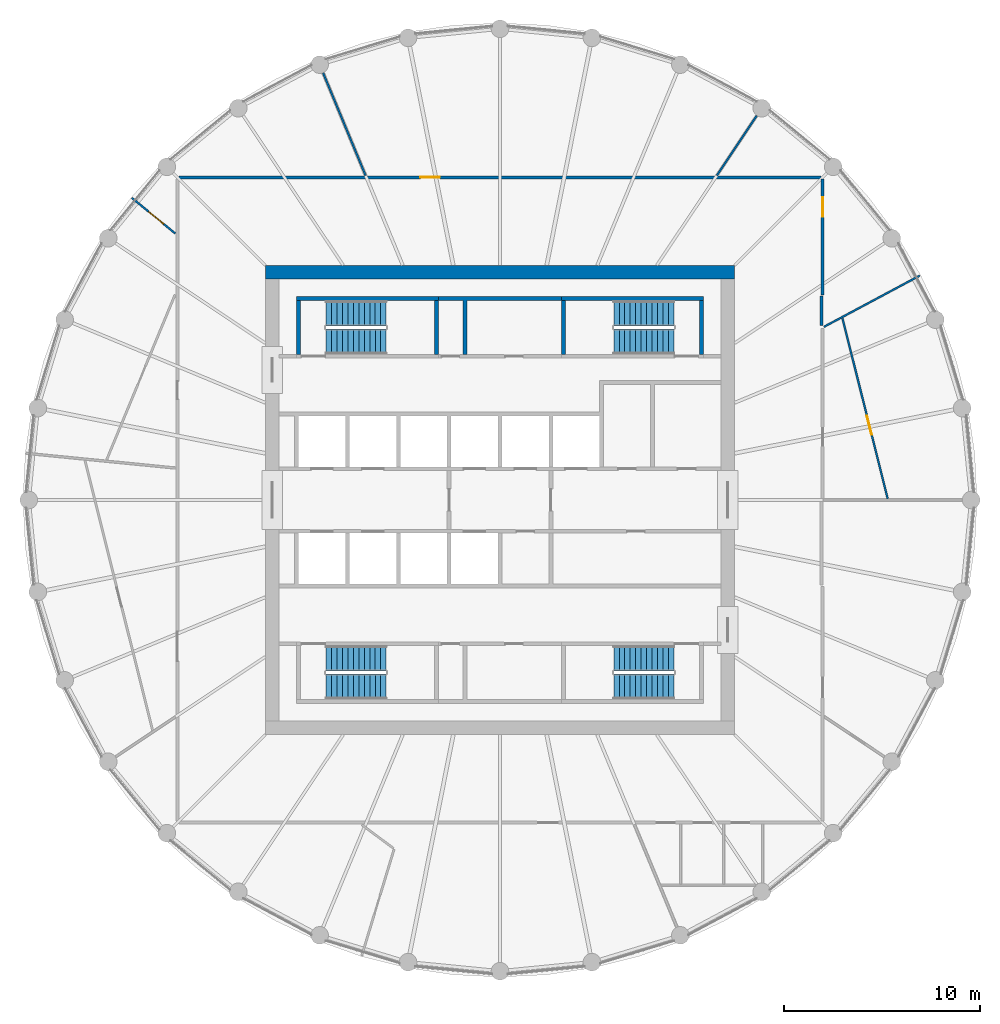
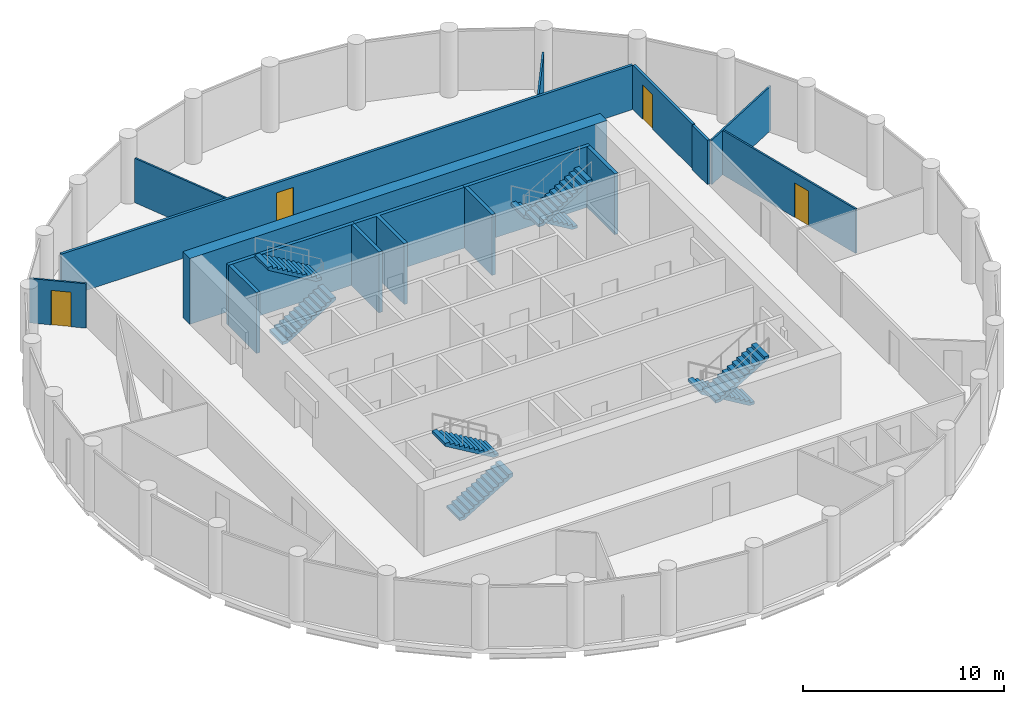
# One storey, part 6 of 7: 16 walls, 8 stair flights, 4 doors, 4 openings, 4 elements without a shape of their own.
"""IFC4 building model written with IfcOpenShell, lengths in metres."""

from ifc_helpers import new_model, si_unit, direction, frame, frame_2d, origin, place, context, subcontext, project, spatial, polyline, rectangle, outline, extrude, material, layer, layer_set, type_object, element, fill, aggregate, save


model = new_model("IFC4")

# Units and contexts
model_context = context("Model", 3, precision=1e-05, world=origin(), true_north=direction((0.0, 1.0)))
body_context = subcontext(model_context, "Body", "Model", "MODEL_VIEW")
ifc_project = project(units=[si_unit("LENGTHUNIT", "METRE"), si_unit("AREAUNIT", "SQUARE_METRE"), si_unit("VOLUMEUNIT", "CUBIC_METRE"), si_unit("PLANEANGLEUNIT", "RADIAN"), si_unit("MASSUNIT", "GRAM", prefix="KILO")], contexts=[model_context])

# Site, building, storey
site_placement = place(None, origin())
site = spatial("IfcSite", under=ifc_project, at=site_placement, CompositionType="ELEMENT")
building_placement = place(site_placement, origin())
building = spatial("IfcBuilding", under=site, at=building_placement, Name="Corvane Civic Tower", CompositionType="ELEMENT")
storey_placement = place(building_placement, frame((0.0, 0.0, 275.0)))
storey = spatial("IfcBuildingStorey", under=building, at=storey_placement, Name="L65", CompositionType="ELEMENT", Elevation=275.0)

# Walls
ifc_material_1 = material(Name="Concrete C40/50", Category="concrete")
ifc_layer_1 = layer(ifc_material_1, 0.699951171875)
ifc_layer_set_1 = layer_set([ifc_layer_1], Name="Concrete C40/50")
wall_type_1 = type_object("IfcWallType", Name="CORE WALL 700 C40/50", PredefinedType="SHEAR", material=ifc_layer_set_1)
wall_1_placement = place(storey_placement, frame((-12.0, 11.64990234375, 0.0), z_axis=(0.0, 0.0, 1.0), x_axis=(1.0, 0.0, 0.0)))
element("IfcWall", 1, at=wall_1_placement, inside=storey, type_object=wall_type_1, Name="W-L65-core-N", PredefinedType="SHEAR", context=body_context, shape_type="SweptSolid", body=[
    extrude(rectangle(XDim=24.0, YDim=0.699951171875, at=frame_2d((12.0, 0.0))), origin(), (0.0, 0.0, 1.0), 4.0),
])
ifc_material_2 = material(Name="Concrete C30/37", Category="concrete")
ifc_layer_2 = layer(ifc_material_2, 0.199951171875)
ifc_layer_set_2 = layer_set([ifc_layer_2], Name="Concrete C30/37")
wall_type_2 = type_object("IfcWallType", Name="CR-WALL-200", PredefinedType="PARTITIONING", material=ifc_layer_set_2)
wall_2_placement = place(storey_placement, origin())
element("IfcWall", 2, at=wall_2_placement, inside=storey, type_object=wall_type_2, Name="L65 core partition wall", PredefinedType="PARTITIONING", context=body_context, shape_type="SweptSolid", body=[
    extrude(outline(polyline([(3.14990234375, 10.39990234375), (3.14990234375, 10.199951171875), (-1.699951171875, 10.199951171875), (-1.699951171875, 7.449951171875), (-1.89990234375, 7.449951171875), (-1.89990234375, 10.199951171875), (-3.14990234375, 10.199951171875), (-3.14990234375, 10.39990234375), (3.14990234375, 10.39990234375)])), origin(), (0.0, 0.0, 1.0), 3.699951171875),
])

# Wall, opening, door
ifc_material_3 = material(Name="Plasterboard")
ifc_layer_3 = layer(ifc_material_3, 0.10009765625)
ifc_layer_set_3 = layer_set([ifc_layer_3], Name="Plasterboard")
wall_type_3 = type_object("IfcWallType", Name="Partition 100 plasterboard on studs", PredefinedType="PARTITIONING", material=ifc_layer_set_3)
wall_3_placement = place(storey_placement, frame((17.51708984375, 9.29248046875, 0.0), z_axis=(0.0, 0.0, 1.0), x_axis=(0.242970257717, -0.970033738519, 0.0)))
wall_3 = element("IfcWall", 3, at=wall_3_placement, inside=storey, type_object=wall_type_3, Name="Partition L65.016", PredefinedType="PARTITIONING", context=body_context, shape_type="SweptSolid", body=[
    extrude(rectangle(XDim=9.515625, YDim=0.10009765625, at=frame_2d((4.7578125, 0.0))), origin(), (0.0, 0.0, 1.0), 2.699951171875),
])
opening_1_placement = place(wall_3_placement, frame((5.142578125, 0.0, 0.0)))
opening_1 = element("IfcOpeningElement", 4, at=opening_1_placement, cuts=wall_3, Name="Opening L65.008", PredefinedType="OPENING", context=body_context, shape_type="SweptSolid", body=[
    extrude(rectangle(XDim=1.0, YDim=2.10009765625, at=frame_2d((0.5, 1.050048828125))), frame((0.0, 0.06005859375, 0.0), z_axis=(0.0, -1.0, 0.0), x_axis=(1.0, 0.0, 0.0)), (0.0, 0.0, 1.0), 0.1201171875),
])
ifc_material_4 = material(Name="Timber", Category="wood")
door_type_1 = type_object("IfcDoorType", Name="Single door 1000", OperationType="NOTDEFINED", PredefinedType="DOOR", material=ifc_material_4)
door_1_placement = place(opening_1_placement, origin())
door_1 = element("IfcDoor", 5, at=door_1_placement, inside=storey, type_object=door_type_1, Name="Door L65.008", OperationType="SINGLE_SWING_LEFT", OverallHeight=2.10009765625, OverallWidth=1.0, PredefinedType="DOOR", context=body_context, shape_type="SweptSolid", body=[
    extrude(rectangle(XDim=1.0, YDim=2.10009765625, at=frame_2d((0.5, 1.050048828125))), frame((0.0, 0.02490234375, 0.0), z_axis=(0.0, -1.0, 0.0), x_axis=(1.0, 0.0, 0.0)), (0.0, 0.0, 1.0), 0.050048828125),
])
fill(opening_1, door_1)

# Wall
wall_4_placement = place(storey_placement, frame((16.563720703125, 8.853515625, 0.0), z_axis=(0.0, 0.0, 1.0), x_axis=(0.88193512519, 0.471370804098, 0.0)))
element("IfcWall", 6, at=wall_4_placement, inside=storey, type_object=wall_type_3, Name="Partition L65.020", PredefinedType="PARTITIONING", context=body_context, shape_type="SweptSolid", body=[
    extrude(rectangle(XDim=5.56884765625, YDim=0.10009765625, at=frame_2d((2.784423828125, 0.0))), origin(), (0.0, 0.0, 1.0), 2.699951171875),
])

# Wall, opening, door
wall_5_placement = place(storey_placement, frame((-18.822998046875, 15.447509765625, 0.0), z_axis=(0.0, 0.0, 1.0), x_axis=(0.773057309147, -0.634336185926, 0.0)))
wall_5 = element("IfcWall", 7, at=wall_5_placement, inside=storey, type_object=wall_type_3, Name="Partition L65.023", PredefinedType="PARTITIONING", context=body_context, shape_type="SweptSolid", body=[
    extrude(rectangle(XDim=2.866943359375, YDim=0.10009765625, at=frame_2d((1.43359375, 0.0))), origin(), (0.0, 0.0, 1.0), 2.699951171875),
])
opening_2_placement = place(wall_5_placement, frame((1.102783203125, 0.0, 0.0)))
opening_2 = element("IfcOpeningElement", 8, at=opening_2_placement, cuts=wall_5, Name="Opening L65.004", PredefinedType="OPENING", context=body_context, shape_type="SweptSolid", body=[
    extrude(rectangle(XDim=1.0, YDim=2.10009765625, at=frame_2d((0.5, 1.050048828125))), frame((0.0, 0.06005859375, 0.0), z_axis=(0.0, -1.0, 0.0), x_axis=(1.0, 0.0, 0.0)), (0.0, 0.0, 1.0), 0.1201171875),
])
door_2_placement = place(opening_2_placement, origin())
door_2 = element("IfcDoor", 9, at=door_2_placement, inside=storey, type_object=door_type_1, Name="Door L65.004", OperationType="SINGLE_SWING_LEFT", OverallHeight=2.10009765625, OverallWidth=1.0, PredefinedType="DOOR", context=body_context, shape_type="SweptSolid", body=[
    extrude(rectangle(XDim=1.0, YDim=2.10009765625, at=frame_2d((0.5, 1.050048828125))), frame((0.0, 0.02490234375, 0.0), z_axis=(0.0, -1.0, 0.0), x_axis=(1.0, 0.0, 0.0)), (0.0, 0.0, 1.0), 0.050048828125),
])
fill(opening_2, door_2)

# Walls
wall_6_placement = place(storey_placement, frame((-9.046630859375, 21.84033203125, 0.0), z_axis=(0.0, 0.0, 1.0), x_axis=(0.382682139097, -0.9238800682, 0.0)))
element("IfcWall", 10, at=wall_6_placement, inside=storey, type_object=wall_type_3, Name="Partition L65.025", PredefinedType="PARTITIONING", context=body_context, shape_type="SweptSolid", body=[
    extrude(rectangle(XDim=5.6787109375, YDim=0.10009765625, at=frame_2d((2.83935546875, 0.0))), origin(), (0.0, 0.0, 1.0), 2.699951171875),
])
wall_7_placement = place(storey_placement, frame((11.093505859375, 16.602783203125, 0.0), z_axis=(0.0, 0.0, 1.0), x_axis=(0.555559107402, 0.831477046095, 0.0)))
element("IfcWall", 11, at=wall_7_placement, inside=storey, type_object=wall_type_3, Name="Partition L65.026", PredefinedType="PARTITIONING", context=body_context, shape_type="SweptSolid", body=[
    extrude(rectangle(XDim=3.672119140625, YDim=0.10009765625, at=frame_2d((1.8359375, 0.0))), origin(), (0.0, 0.0, 1.0), 2.699951171875),
])
ifc_material_5 = material(Name="Concrete C50/60", Category="concrete")
ifc_layer_4 = layer(ifc_material_5, 0.199951171875)
ifc_layer_set_4 = layer_set([ifc_layer_4], Name="Concrete C50/60")
wall_type_4 = type_object("IfcWallType", Name="ST-WALL-200", PredefinedType="SHEAR", material=ifc_layer_set_4)
wall_8_placement = place(storey_placement, origin())
element("IfcWall", 12, at=wall_8_placement, inside=storey, type_object=wall_type_4, Name="L65 stair enclosure wall", PredefinedType="SHEAR", context=body_context, shape_type="SweptSolid", body=[
    extrude(outline(polyline([(-3.14990234375, 10.199951171875), (-10.39990234375, 10.199951171875), (-10.39990234375, 10.39990234375), (-3.14990234375, 10.39990234375), (-3.14990234375, 10.199951171875)])), origin(), (0.0, 0.0, 1.0), 3.699951171875),
])
wall_9_placement = place(storey_placement, origin())
element("IfcWall", 13, at=wall_9_placement, inside=storey, type_object=wall_type_4, Name="L65 stair enclosure wall", PredefinedType="SHEAR", context=body_context, shape_type="SweptSolid", body=[
    extrude(outline(polyline([(10.39990234375, 10.199951171875), (3.14990234375, 10.199951171875), (3.14990234375, 10.39990234375), (10.39990234375, 10.39990234375), (10.39990234375, 10.199951171875)])), origin(), (0.0, 0.0, 1.0), 3.699951171875),
])
wall_10_placement = place(storey_placement, origin())
element("IfcWall", 14, at=wall_10_placement, inside=storey, type_object=wall_type_4, Name="L65 stair enclosure wall", PredefinedType="SHEAR", context=body_context, shape_type="SweptSolid", body=[
    extrude(outline(polyline([(-3.14990234375, 7.449951171875), (-3.35009765625, 7.449951171875), (-3.35009765625, 10.199951171875), (-3.14990234375, 10.199951171875), (-3.14990234375, 7.449951171875)])), origin(), (0.0, 0.0, 1.0), 3.699951171875),
])
wall_11_placement = place(storey_placement, origin())
element("IfcWall", 15, at=wall_11_placement, inside=storey, type_object=wall_type_4, Name="L65 stair enclosure wall", PredefinedType="SHEAR", context=body_context, shape_type="SweptSolid", body=[
    extrude(outline(polyline([(3.35009765625, 7.449951171875), (3.14990234375, 7.449951171875), (3.14990234375, 10.199951171875), (3.35009765625, 10.199951171875), (3.35009765625, 7.449951171875)])), origin(), (0.0, 0.0, 1.0), 3.699951171875),
])
wall_12_placement = place(storey_placement, origin())
element("IfcWall", 16, at=wall_12_placement, inside=storey, type_object=wall_type_4, Name="L65 stair enclosure wall", PredefinedType="SHEAR", context=body_context, shape_type="SweptSolid", body=[
    extrude(outline(polyline([(-10.199951171875, 7.449951171875), (-10.39990234375, 7.449951171875), (-10.39990234375, 10.199951171875), (-10.199951171875, 10.199951171875), (-10.199951171875, 7.449951171875)])), origin(), (0.0, 0.0, 1.0), 3.699951171875),
])
wall_13_placement = place(storey_placement, origin())
element("IfcWall", 17, at=wall_13_placement, inside=storey, type_object=wall_type_4, Name="L65 stair enclosure wall", PredefinedType="SHEAR", context=body_context, shape_type="SweptSolid", body=[
    extrude(outline(polyline([(10.39990234375, 7.449951171875), (10.199951171875, 7.449951171875), (10.199951171875, 10.199951171875), (10.39990234375, 10.199951171875), (10.39990234375, 7.449951171875)])), origin(), (0.0, 0.0, 1.0), 3.699951171875),
])
ifc_material_6 = material(Name="Plasterboard")
ifc_layer_5 = layer(ifc_material_6, 0.14990234375)
ifc_layer_set_5 = layer_set([ifc_layer_5], Name="Plasterboard")
wall_type_5 = type_object("IfcWallType", Name="Tenancy wall 150 EI 60", PredefinedType="PARTITIONING", material=ifc_layer_set_5)
wall_14_placement = place(storey_placement, frame((16.449951171875, 8.917724609375, 0.0), z_axis=(0.0, 0.0, 1.0), x_axis=(0.0, 1.0, 0.0)))
element("IfcWall", 18, at=wall_14_placement, inside=storey, type_object=wall_type_5, Name="Partition L65.021", PredefinedType="PARTITIONING", context=body_context, shape_type="SweptSolid", body=[
    extrude(rectangle(XDim=1.51220703125, YDim=0.14990234375, at=frame_2d((0.756103515625, 0.0))), origin(), (0.0, 0.0, 1.0), 2.699951171875),
])

# Wall, opening, door
wall_15_placement = place(storey_placement, frame((16.5, 10.47998046875, 0.0), z_axis=(0.0, 0.0, 1.0), x_axis=(0.0, 1.0, 0.0)))
wall_15 = element("IfcWall", 19, at=wall_15_placement, inside=storey, type_object=wall_type_5, Name="Partition L65.022", PredefinedType="PARTITIONING", context=body_context, shape_type="SweptSolid", body=[
    extrude(rectangle(XDim=5.945068359375, YDim=0.14990234375, at=frame_2d((2.97265625, 0.0))), origin(), (0.0, 0.0, 1.0), 2.699951171875),
])
opening_3_placement = place(wall_15_placement, frame((3.9951171875, 0.0, 0.0)))
opening_3 = element("IfcOpeningElement", 20, at=opening_3_placement, cuts=wall_15, Name="Opening L65.007", PredefinedType="OPENING", context=body_context, shape_type="SweptSolid", body=[
    extrude(rectangle(XDim=1.0, YDim=2.10009765625, at=frame_2d((0.5, 1.050048828125))), frame((0.0, 0.0849609375, 0.0), z_axis=(0.0, -1.0, 0.0), x_axis=(1.0, 0.0, 0.0)), (0.0, 0.0, 1.0), 0.169921875),
])
ifc_material_7 = material(Name="Steel and timber", Category="steel")
door_type_2 = type_object("IfcDoorType", Name="Fire door FD30S 1000", OperationType="NOTDEFINED", PredefinedType="DOOR", material=ifc_material_7)
door_3_placement = place(opening_3_placement, frame((1.0, 0.0, 0.0), z_axis=(0.0, 0.0, 1.0), x_axis=(-1.0, 0.0, 0.0)))
door_3 = element("IfcDoor", 21, at=door_3_placement, inside=storey, type_object=door_type_2, Name="Door L65.007", OperationType="SINGLE_SWING_LEFT", OverallHeight=2.10009765625, OverallWidth=1.0, PredefinedType="DOOR", context=body_context, shape_type="SweptSolid", body=[
    extrude(rectangle(XDim=1.0, YDim=2.10009765625, at=frame_2d((0.5, 1.050048828125))), frame((0.0, 0.02490234375, 0.0), z_axis=(0.0, -1.0, 0.0), x_axis=(1.0, 0.0, 0.0)), (0.0, 0.0, 1.0), 0.050048828125),
])
fill(opening_3, door_3)

wall_16_placement = place(storey_placement, frame((-16.425048828125, 16.5, 0.0), z_axis=(0.0, 0.0, 1.0), x_axis=(1.0, 0.0, 0.0)))
wall_16 = element("IfcWall", 22, at=wall_16_placement, inside=storey, type_object=wall_type_5, Name="Partition L65.024", PredefinedType="PARTITIONING", context=body_context, shape_type="SweptSolid", body=[
    extrude(rectangle(XDim=32.85009765625, YDim=0.14990234375, at=frame_2d((16.425048828125, 0.0))), origin(), (0.0, 0.0, 1.0), 2.699951171875),
])
opening_4_placement = place(wall_16_placement, frame((12.3544921875, 0.0, 0.0)))
opening_4 = element("IfcOpeningElement", 23, at=opening_4_placement, cuts=wall_16, Name="Opening L65.006", PredefinedType="OPENING", context=body_context, shape_type="SweptSolid", body=[
    extrude(rectangle(XDim=1.0, YDim=2.10009765625, at=frame_2d((0.5, 1.050048828125))), frame((0.0, 0.0849609375, 0.0), z_axis=(0.0, -1.0, 0.0), x_axis=(1.0, 0.0, 0.0)), (0.0, 0.0, 1.0), 0.169921875),
])
door_4_placement = place(opening_4_placement, origin())
door_4 = element("IfcDoor", 24, at=door_4_placement, inside=storey, type_object=door_type_2, Name="Door L65.006", OperationType="SINGLE_SWING_RIGHT", OverallHeight=2.10009765625, OverallWidth=1.0, PredefinedType="DOOR", context=body_context, shape_type="SweptSolid", body=[
    extrude(rectangle(XDim=1.0, YDim=2.10009765625, at=frame_2d((0.5, 1.050048828125))), frame((0.0, 0.02490234375, 0.0), z_axis=(0.0, -1.0, 0.0), x_axis=(1.0, 0.0, 0.0)), (0.0, 0.0, 1.0), 0.050048828125),
])
fill(opening_4, door_4)

# Stair, stair flights
ifc_material_8 = material(Name="Concrete C40/50", Category="concrete")
stair_type = type_object("IfcStairType", Name="ST-STAIR-HALFTURN", PredefinedType="HALF_TURN_STAIR", material=ifc_material_8)
stair_1_placement = place(storey_placement, origin())
stair_1 = element("IfcStair", 25, at=stair_1_placement, inside=storey, type_object=stair_type, Name="L65 Exit stair ST1", PredefinedType="HALF_TURN_STAIR")
ifc_material_9 = material(Name="Concrete C40/50", Category="concrete")
stair_flight_type = type_object("IfcStairFlightType", Name="ST-FLIGHT-RC", PredefinedType="STRAIGHT", material=ifc_material_9)
stair_flight_1_placement = place(storey_placement, frame((8.89990234375, 9.550048828125, 0.0), z_axis=(0.0, 0.0, 1.0), x_axis=(-1.0, 0.0, 0.0)))
stair_flight_1 = element("IfcStairFlight", 26, at=stair_flight_1_placement, type_object=stair_flight_type, Name="ST1 flight 1", NumberOfRisers=12, NumberOfTreads=11, PredefinedType="STRAIGHT", RiserHeight=0.166666667, TreadLength=0.28, context=body_context, shape_type="SweptSolid", body=[
    extrude(outline(polyline([(0.0, 0.0), (0.0, 0.166748046875), (0.280029296875, 0.166748046875), (0.280029296875, 0.333251953125), (0.56005859375, 0.333251953125), (0.56005859375, 0.5), (0.840087890625, 0.5), (0.840087890625, 0.666748046875), (1.1201171875, 0.666748046875), (1.1201171875, 0.833251953125), (1.39990234375, 0.833251953125), (1.39990234375, 1.0), (1.679931640625, 1.0), (1.679931640625, 1.166748046875), (1.9599609375, 1.166748046875), (1.9599609375, 1.333251953125), (2.239990234375, 1.333251953125), (2.239990234375, 1.5), (2.52001953125, 1.5), (2.52001953125, 1.666748046875), (2.800048828125, 1.666748046875), (2.800048828125, 1.833251953125), (3.080078125, 1.833251953125), (3.080078125, 2.0), (3.080078125, 1.658935546875), (0.29296875, 0.0), (0.0, 0.0)])), frame((0.0, 0.64990234375, 0.0), z_axis=(0.0, -1.0, 0.0), x_axis=(1.0, 0.0, 0.0)), (0.0, 0.0, 1.0), 1.300048828125),
])
stair_flight_2_placement = place(storey_placement, frame((5.820068359375, 8.10009765625, 2.0), z_axis=(0.0, 0.0, 1.0), x_axis=(1.0, 0.0, 0.0)))
stair_flight_2 = element("IfcStairFlight", 27, at=stair_flight_2_placement, type_object=stair_flight_type, Name="ST1 flight 2", NumberOfRisers=12, NumberOfTreads=11, PredefinedType="STRAIGHT", RiserHeight=0.166666667, TreadLength=0.28, context=body_context, shape_type="SweptSolid", body=[
    extrude(outline(polyline([(0.0, 0.0), (0.0, 0.166748046875), (0.280029296875, 0.166748046875), (0.280029296875, 0.333251953125), (0.56005859375, 0.333251953125), (0.56005859375, 0.5), (0.840087890625, 0.5), (0.840087890625, 0.666748046875), (1.1201171875, 0.666748046875), (1.1201171875, 0.833251953125), (1.39990234375, 0.833251953125), (1.39990234375, 1.0), (1.679931640625, 1.0), (1.679931640625, 1.166748046875), (1.9599609375, 1.166748046875), (1.9599609375, 1.333251953125), (2.239990234375, 1.333251953125), (2.239990234375, 1.5), (2.52001953125, 1.5), (2.52001953125, 1.666748046875), (2.800048828125, 1.666748046875), (2.800048828125, 1.833251953125), (3.080078125, 1.833251953125), (3.080078125, 2.0), (3.080078125, 1.658935546875), (0.29296875, 0.0), (0.0, 0.0)])), frame((0.0, 0.64990234375, 0.0), z_axis=(0.0, -1.0, 0.0), x_axis=(1.0, 0.0, 0.0)), (0.0, 0.0, 1.0), 1.300048828125),
])
aggregate(stair_1, [stair_flight_1, stair_flight_2])

stair_2_placement = place(storey_placement, origin())
stair_2 = element("IfcStair", 28, at=stair_2_placement, inside=storey, type_object=stair_type, Name="L65 Exit stair ST2", PredefinedType="HALF_TURN_STAIR")
stair_flight_3_placement = place(storey_placement, frame((8.89990234375, -8.10009765625, 0.0), z_axis=(0.0, 0.0, 1.0), x_axis=(-1.0, 0.0, 0.0)))
stair_flight_3 = element("IfcStairFlight", 29, at=stair_flight_3_placement, type_object=stair_flight_type, Name="ST2 flight 1", NumberOfRisers=12, NumberOfTreads=11, PredefinedType="STRAIGHT", RiserHeight=0.166666667, TreadLength=0.28, context=body_context, shape_type="SweptSolid", body=[
    extrude(outline(polyline([(0.0, 0.0), (0.0, 0.166748046875), (0.280029296875, 0.166748046875), (0.280029296875, 0.333251953125), (0.56005859375, 0.333251953125), (0.56005859375, 0.5), (0.840087890625, 0.5), (0.840087890625, 0.666748046875), (1.1201171875, 0.666748046875), (1.1201171875, 0.833251953125), (1.39990234375, 0.833251953125), (1.39990234375, 1.0), (1.679931640625, 1.0), (1.679931640625, 1.166748046875), (1.9599609375, 1.166748046875), (1.9599609375, 1.333251953125), (2.239990234375, 1.333251953125), (2.239990234375, 1.5), (2.52001953125, 1.5), (2.52001953125, 1.666748046875), (2.800048828125, 1.666748046875), (2.800048828125, 1.833251953125), (3.080078125, 1.833251953125), (3.080078125, 2.0), (3.080078125, 1.658935546875), (0.29296875, 0.0), (0.0, 0.0)])), frame((0.0, 0.64990234375, 0.0), z_axis=(0.0, -1.0, 0.0), x_axis=(1.0, 0.0, 0.0)), (0.0, 0.0, 1.0), 1.300048828125),
])
stair_flight_4_placement = place(storey_placement, frame((5.820068359375, -9.550048828125, 2.0), z_axis=(0.0, 0.0, 1.0), x_axis=(1.0, 0.0, 0.0)))
stair_flight_4 = element("IfcStairFlight", 30, at=stair_flight_4_placement, type_object=stair_flight_type, Name="ST2 flight 2", NumberOfRisers=12, NumberOfTreads=11, PredefinedType="STRAIGHT", RiserHeight=0.166666667, TreadLength=0.28, context=body_context, shape_type="SweptSolid", body=[
    extrude(outline(polyline([(0.0, 0.0), (0.0, 0.166748046875), (0.280029296875, 0.166748046875), (0.280029296875, 0.333251953125), (0.56005859375, 0.333251953125), (0.56005859375, 0.5), (0.840087890625, 0.5), (0.840087890625, 0.666748046875), (1.1201171875, 0.666748046875), (1.1201171875, 0.833251953125), (1.39990234375, 0.833251953125), (1.39990234375, 1.0), (1.679931640625, 1.0), (1.679931640625, 1.166748046875), (1.9599609375, 1.166748046875), (1.9599609375, 1.333251953125), (2.239990234375, 1.333251953125), (2.239990234375, 1.5), (2.52001953125, 1.5), (2.52001953125, 1.666748046875), (2.800048828125, 1.666748046875), (2.800048828125, 1.833251953125), (3.080078125, 1.833251953125), (3.080078125, 2.0), (3.080078125, 1.658935546875), (0.29296875, 0.0), (0.0, 0.0)])), frame((0.0, 0.64990234375, 0.0), z_axis=(0.0, -1.0, 0.0), x_axis=(1.0, 0.0, 0.0)), (0.0, 0.0, 1.0), 1.300048828125),
])
aggregate(stair_2, [stair_flight_3, stair_flight_4])

stair_3_placement = place(storey_placement, origin())
stair_3 = element("IfcStair", 31, at=stair_3_placement, inside=storey, type_object=stair_type, Name="L65 Exit stair ST3", PredefinedType="HALF_TURN_STAIR")
stair_flight_5_placement = place(storey_placement, frame((-8.89990234375, -9.550048828125, 0.0), z_axis=(0.0, 0.0, 1.0), x_axis=(1.0, 0.0, 0.0)))
stair_flight_5 = element("IfcStairFlight", 32, at=stair_flight_5_placement, type_object=stair_flight_type, Name="ST3 flight 1", NumberOfRisers=12, NumberOfTreads=11, PredefinedType="STRAIGHT", RiserHeight=0.166666667, TreadLength=0.28, context=body_context, shape_type="SweptSolid", body=[
    extrude(outline(polyline([(0.0, 0.0), (0.0, 0.166748046875), (0.280029296875, 0.166748046875), (0.280029296875, 0.333251953125), (0.56005859375, 0.333251953125), (0.56005859375, 0.5), (0.840087890625, 0.5), (0.840087890625, 0.666748046875), (1.1201171875, 0.666748046875), (1.1201171875, 0.833251953125), (1.39990234375, 0.833251953125), (1.39990234375, 1.0), (1.679931640625, 1.0), (1.679931640625, 1.166748046875), (1.9599609375, 1.166748046875), (1.9599609375, 1.333251953125), (2.239990234375, 1.333251953125), (2.239990234375, 1.5), (2.52001953125, 1.5), (2.52001953125, 1.666748046875), (2.800048828125, 1.666748046875), (2.800048828125, 1.833251953125), (3.080078125, 1.833251953125), (3.080078125, 2.0), (3.080078125, 1.658935546875), (0.29296875, 0.0), (0.0, 0.0)])), frame((0.0, 0.64990234375, 0.0), z_axis=(0.0, -1.0, 0.0), x_axis=(1.0, 0.0, 0.0)), (0.0, 0.0, 1.0), 1.300048828125),
])
stair_flight_6_placement = place(storey_placement, frame((-5.820068359375, -8.10009765625, 2.0), z_axis=(0.0, 0.0, 1.0), x_axis=(-1.0, 0.0, 0.0)))
stair_flight_6 = element("IfcStairFlight", 33, at=stair_flight_6_placement, type_object=stair_flight_type, Name="ST3 flight 2", NumberOfRisers=12, NumberOfTreads=11, PredefinedType="STRAIGHT", RiserHeight=0.166666667, TreadLength=0.28, context=body_context, shape_type="SweptSolid", body=[
    extrude(outline(polyline([(0.0, 0.0), (0.0, 0.166748046875), (0.280029296875, 0.166748046875), (0.280029296875, 0.333251953125), (0.56005859375, 0.333251953125), (0.56005859375, 0.5), (0.840087890625, 0.5), (0.840087890625, 0.666748046875), (1.1201171875, 0.666748046875), (1.1201171875, 0.833251953125), (1.39990234375, 0.833251953125), (1.39990234375, 1.0), (1.679931640625, 1.0), (1.679931640625, 1.166748046875), (1.9599609375, 1.166748046875), (1.9599609375, 1.333251953125), (2.239990234375, 1.333251953125), (2.239990234375, 1.5), (2.52001953125, 1.5), (2.52001953125, 1.666748046875), (2.800048828125, 1.666748046875), (2.800048828125, 1.833251953125), (3.080078125, 1.833251953125), (3.080078125, 2.0), (3.080078125, 1.658935546875), (0.29296875, 0.0), (0.0, 0.0)])), frame((0.0, 0.64990234375, 0.0), z_axis=(0.0, -1.0, 0.0), x_axis=(1.0, 0.0, 0.0)), (0.0, 0.0, 1.0), 1.300048828125),
])
aggregate(stair_3, [stair_flight_5, stair_flight_6])

stair_4_placement = place(storey_placement, origin())
stair_4 = element("IfcStair", 34, at=stair_4_placement, inside=storey, type_object=stair_type, Name="L65 Exit stair ST4", PredefinedType="HALF_TURN_STAIR")
stair_flight_7_placement = place(storey_placement, frame((-8.89990234375, 8.10009765625, 0.0), z_axis=(0.0, 0.0, 1.0), x_axis=(1.0, 0.0, 0.0)))
stair_flight_7 = element("IfcStairFlight", 35, at=stair_flight_7_placement, type_object=stair_flight_type, Name="ST4 flight 1", NumberOfRisers=12, NumberOfTreads=11, PredefinedType="STRAIGHT", RiserHeight=0.166666667, TreadLength=0.28, context=body_context, shape_type="SweptSolid", body=[
    extrude(outline(polyline([(0.0, 0.0), (0.0, 0.166748046875), (0.280029296875, 0.166748046875), (0.280029296875, 0.333251953125), (0.56005859375, 0.333251953125), (0.56005859375, 0.5), (0.840087890625, 0.5), (0.840087890625, 0.666748046875), (1.1201171875, 0.666748046875), (1.1201171875, 0.833251953125), (1.39990234375, 0.833251953125), (1.39990234375, 1.0), (1.679931640625, 1.0), (1.679931640625, 1.166748046875), (1.9599609375, 1.166748046875), (1.9599609375, 1.333251953125), (2.239990234375, 1.333251953125), (2.239990234375, 1.5), (2.52001953125, 1.5), (2.52001953125, 1.666748046875), (2.800048828125, 1.666748046875), (2.800048828125, 1.833251953125), (3.080078125, 1.833251953125), (3.080078125, 2.0), (3.080078125, 1.658935546875), (0.29296875, 0.0), (0.0, 0.0)])), frame((0.0, 0.64990234375, 0.0), z_axis=(0.0, -1.0, 0.0), x_axis=(1.0, 0.0, 0.0)), (0.0, 0.0, 1.0), 1.300048828125),
])
stair_flight_8_placement = place(storey_placement, frame((-5.820068359375, 9.550048828125, 2.0), z_axis=(0.0, 0.0, 1.0), x_axis=(-1.0, 0.0, 0.0)))
stair_flight_8 = element("IfcStairFlight", 36, at=stair_flight_8_placement, type_object=stair_flight_type, Name="ST4 flight 2", NumberOfRisers=12, NumberOfTreads=11, PredefinedType="STRAIGHT", RiserHeight=0.166666667, TreadLength=0.28, context=body_context, shape_type="SweptSolid", body=[
    extrude(outline(polyline([(0.0, 0.0), (0.0, 0.166748046875), (0.280029296875, 0.166748046875), (0.280029296875, 0.333251953125), (0.56005859375, 0.333251953125), (0.56005859375, 0.5), (0.840087890625, 0.5), (0.840087890625, 0.666748046875), (1.1201171875, 0.666748046875), (1.1201171875, 0.833251953125), (1.39990234375, 0.833251953125), (1.39990234375, 1.0), (1.679931640625, 1.0), (1.679931640625, 1.166748046875), (1.9599609375, 1.166748046875), (1.9599609375, 1.333251953125), (2.239990234375, 1.333251953125), (2.239990234375, 1.5), (2.52001953125, 1.5), (2.52001953125, 1.666748046875), (2.800048828125, 1.666748046875), (2.800048828125, 1.833251953125), (3.080078125, 1.833251953125), (3.080078125, 2.0), (3.080078125, 1.658935546875), (0.29296875, 0.0), (0.0, 0.0)])), frame((0.0, 0.64990234375, 0.0), z_axis=(0.0, -1.0, 0.0), x_axis=(1.0, 0.0, 0.0)), (0.0, 0.0, 1.0), 1.300048828125),
])
aggregate(stair_4, [stair_flight_7, stair_flight_8])

save(model, "model.ifc")
